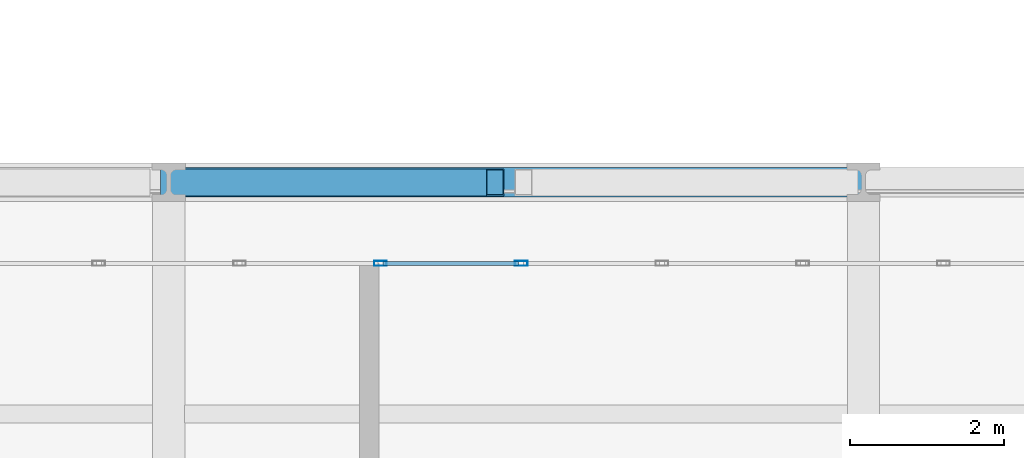
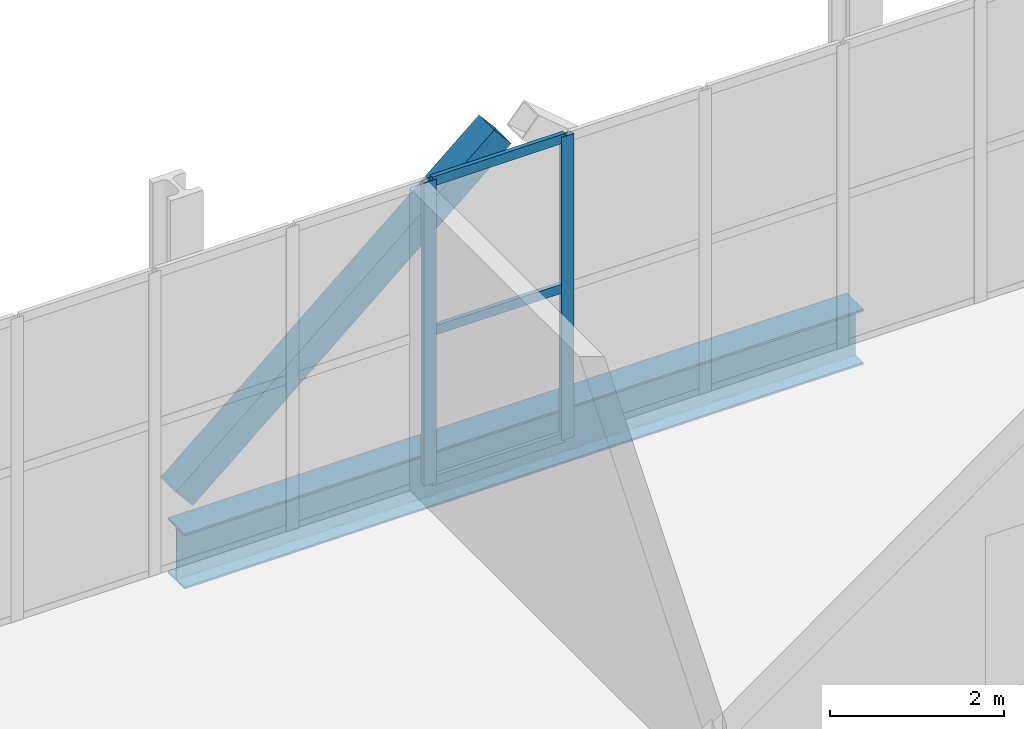
# One storey, part 8 of 27: 6 members, 1 beam, 1 element without a shape of its own.
"""IFC4 building model written with IfcOpenShell, lengths in metres."""

from ifc_helpers import new_model, si_unit, direction, frame, origin, origin_2d, place, context, subcontext, project, spatial, hollow_rectangle, i_section, extrude, material, layer, layer_set, material_profile, profile_set, type_object, element, aggregate, save


model = new_model("IFC4")

# Units and contexts
model_context = context("Model", 3, precision=1e-05, world=origin(), true_north=direction((0.0, 1.0)))
body_context = subcontext(model_context, "Body", "Model", "MODEL_VIEW")
ifc_project = project(units=[si_unit("LENGTHUNIT", "METRE"), si_unit("AREAUNIT", "SQUARE_METRE"), si_unit("VOLUMEUNIT", "CUBIC_METRE"), si_unit("PLANEANGLEUNIT", "RADIAN"), si_unit("MASSUNIT", "GRAM", prefix="KILO")], contexts=[model_context])

# Site, building, storey
site_placement = place(None, origin())
site = spatial("IfcSite", under=ifc_project, at=site_placement, CompositionType="ELEMENT")
building_placement = place(site_placement, origin())
building = spatial("IfcBuilding", under=site, at=building_placement, Name="Mawjdan Bourse Tower", CompositionType="ELEMENT")
storey_placement = place(building_placement, frame((0.0, 0.0, 84.60009765625)))
storey = spatial("IfcBuildingStorey", under=building, at=storey_placement, Name="L19", CompositionType="ELEMENT", Elevation=84.60009765625)

# Member
ifc_material_1 = material(Name="Structural Steel S460", Category="steel")
ifc_material_profile_1 = material_profile(ifc_material_1, hollow_rectangle(XDim=0.35009765625, YDim=0.35009765625, WallThickness=0.01611328125, at=origin_2d()), Name="HSS350X350X16")
ifc_profile_set_1 = profile_set([ifc_material_profile_1], Name="Structural Steel S460")
member_type_1 = type_object("IfcMemberType", Name="BRC-HSS350X350X16", PredefinedType="BRACE", material=ifc_profile_set_1)
member_1_placement = place(storey_placement, frame((33.008544921875, 21.0, 0.199951171875), z_axis=(0.760829478047, 0.0, 0.648951851322), x_axis=(0.0, 1.0, 0.0)))
element("IfcMember", 1, at=member_1_placement, inside=storey, type_object=member_type_1, Name="L19 East Outrigger Truss 2 Diagonal 3", PredefinedType="BRACE", context=body_context, shape_type="SweptSolid", body=[
    extrude(hollow_rectangle(XDim=0.35009765625, YDim=0.35009765625, WallThickness=0.01611328125, at=origin_2d()), origin(), (0.0, 0.0, 1.0), 5.547119140625),
])

# Curtain wall, members
ifc_material_2 = material(Name="Thermally Broken Aluminium and Solar Glass", Category="aluminium")
ifc_layer = layer(ifc_material_2, 0.219970703125)
ifc_layer_set = layer_set([ifc_layer], Name="Thermally Broken Aluminium and Solar Glass")
curtain_wall_type = type_object("IfcCurtainWallType", Name="CW-RFG", PredefinedType="USERDEFINED", material=ifc_layer_set)
curtain_wall_placement = place(storey_placement, origin())
curtain_wall = element("IfcCurtainWall", 2, at=curtain_wall_placement, inside=storey, type_object=curtain_wall_type, Name="L19 Refuge Band North Louvre Curtain Wall", ObjectType="REFUGE BAND LOUVRE SCREEN", PredefinedType="USERDEFINED")
ifc_material_3 = material(Name="Thermally Broken Anodised Aluminium", Category="aluminium")
ifc_material_profile_2 = material_profile(ifc_material_3, hollow_rectangle(XDim=0.06494140625, YDim=0.1650390625, WallThickness=0.00390625, at=origin_2d()), Name="ALU-MUL-165X65")
ifc_profile_set_2 = profile_set([ifc_material_profile_2], Name="Thermally Broken Anodised Aluminium")
member_type_2 = type_object("IfcMemberType", Name="MUL-ALU-MUL-165X65", PredefinedType="MULLION", material=ifc_profile_set_2)
member_2_placement = place(storey_placement, frame((37.566650390625, 19.949951171875, 0.0), z_axis=(0.0, 0.0, 1.0), x_axis=(0.0, -1.0, 0.0)))
member_2 = element("IfcMember", 3, at=member_2_placement, type_object=member_type_2, Name="CW-RFG-L19-RFG-N mullion 15", PredefinedType="MULLION", context=body_context, shape_type="SweptSolid", body=[
    extrude(hollow_rectangle(XDim=0.06494140625, YDim=0.1650390625, WallThickness=0.00390625, at=origin_2d()), origin(), (0.0, 0.0, 1.0), 4.25),
])
member_3_placement = place(storey_placement, frame((35.742919921875, 19.949951171875, 0.0), z_axis=(0.0, 0.0, 1.0), x_axis=(0.0, -1.0, 0.0)))
member_3 = element("IfcMember", 4, at=member_3_placement, type_object=member_type_2, Name="CW-RFG-L19-RFG-N mullion 16", PredefinedType="MULLION", context=body_context, shape_type="SweptSolid", body=[
    extrude(hollow_rectangle(XDim=0.06494140625, YDim=0.1650390625, WallThickness=0.00390625, at=origin_2d()), origin(), (0.0, 0.0, 1.0), 4.25),
])

# Beam
ifc_material_4 = material(Name="Structural Steel S355", Category="steel")
ifc_material_profile_3 = material_profile(ifc_material_4, i_section(OverallWidth=0.381103515625, OverallDepth=0.77294921875, WebThickness=0.0166015625, FlangeThickness=0.027099609375, FilletRadius=0.021728515625, at=origin_2d()), Name="W30X173")
ifc_profile_set_3 = profile_set([ifc_material_profile_3], Name="Structural Steel S355")
beam_type = type_object("IfcBeamType", Name="SPN-W30X173", PredefinedType="SPANDREL", material=ifc_profile_set_3)
beam_placement = place(storey_placement, frame((33.0, 21.0, -0.66650390625), z_axis=(1.0, 0.0, 0.0), x_axis=(0.0, 1.0, 0.0)))
element("IfcBeam", 5, at=beam_placement, inside=storey, type_object=beam_type, Name="L19 Perimeter Masonry-Shelf Spandrel 017", PredefinedType="SPANDREL", context=body_context, shape_type="SweptSolid", body=[
    extrude(i_section(OverallWidth=0.381103515625, OverallDepth=0.77294921875, WebThickness=0.0166015625, FlangeThickness=0.027099609375, FilletRadius=0.021728515625, at=origin_2d()), origin(), (0.0, 0.0, 1.0), 9.0),
])

# Member
ifc_material_profile_4 = material_profile(ifc_material_3, hollow_rectangle(XDim=0.054931640625, YDim=0.1298828125, WallThickness=0.00341796875, at=origin_2d()), Name="ALU-TRN-130X55")
ifc_profile_set_4 = profile_set([ifc_material_profile_4], Name="Thermally Broken Anodised Aluminium")
member_type_3 = type_object("IfcMemberType", Name="TRN-ALU-TRN-130X55", PredefinedType="USERDEFINED", material=ifc_profile_set_4)
member_4_placement = place(storey_placement, frame((37.5341796875, 19.949951171875, 0.02734375), z_axis=(-1.0, 0.0, 0.0), x_axis=(0.0, -1.0, 0.0)))
member_4 = element("IfcMember", 6, at=member_4_placement, type_object=member_type_3, Name="CW-RFG-L19-RFG-N transom 15.1", ObjectType="TRANSOM", PredefinedType="USERDEFINED", context=body_context, shape_type="SweptSolid", body=[
    extrude(hollow_rectangle(XDim=0.054931640625, YDim=0.1298828125, WallThickness=0.00341796875, at=origin_2d()), origin(), (0.0, 0.0, 1.0), 1.7587890625),
])

member_5_placement = place(storey_placement, frame((37.5341796875, 19.949951171875, 2.125), z_axis=(-1.0, 0.0, 0.0), x_axis=(0.0, -1.0, 0.0)))
member_5 = element("IfcMember", 7, at=member_5_placement, type_object=member_type_3, Name="CW-RFG-L19-RFG-N transom 15.2", ObjectType="TRANSOM", PredefinedType="USERDEFINED", context=body_context, shape_type="SweptSolid", body=[
    extrude(hollow_rectangle(XDim=0.054931640625, YDim=0.1298828125, WallThickness=0.00341796875, at=origin_2d()), origin(), (0.0, 0.0, 1.0), 1.7587890625),
])

member_6_placement = place(storey_placement, frame((37.5341796875, 19.949951171875, 4.222412109375), z_axis=(-1.0, 0.0, 0.0), x_axis=(0.0, -1.0, 0.0)))
member_6 = element("IfcMember", 8, at=member_6_placement, type_object=member_type_3, Name="CW-RFG-L19-RFG-N transom 15.3", ObjectType="TRANSOM", PredefinedType="USERDEFINED", context=body_context, shape_type="SweptSolid", body=[
    extrude(hollow_rectangle(XDim=0.054931640625, YDim=0.1298828125, WallThickness=0.00341796875, at=origin_2d()), origin(), (0.0, 0.0, 1.0), 1.7587890625),
])

aggregate(curtain_wall, [member_2, member_3, member_4, member_5, member_6])

save(model, "model.ifc")
